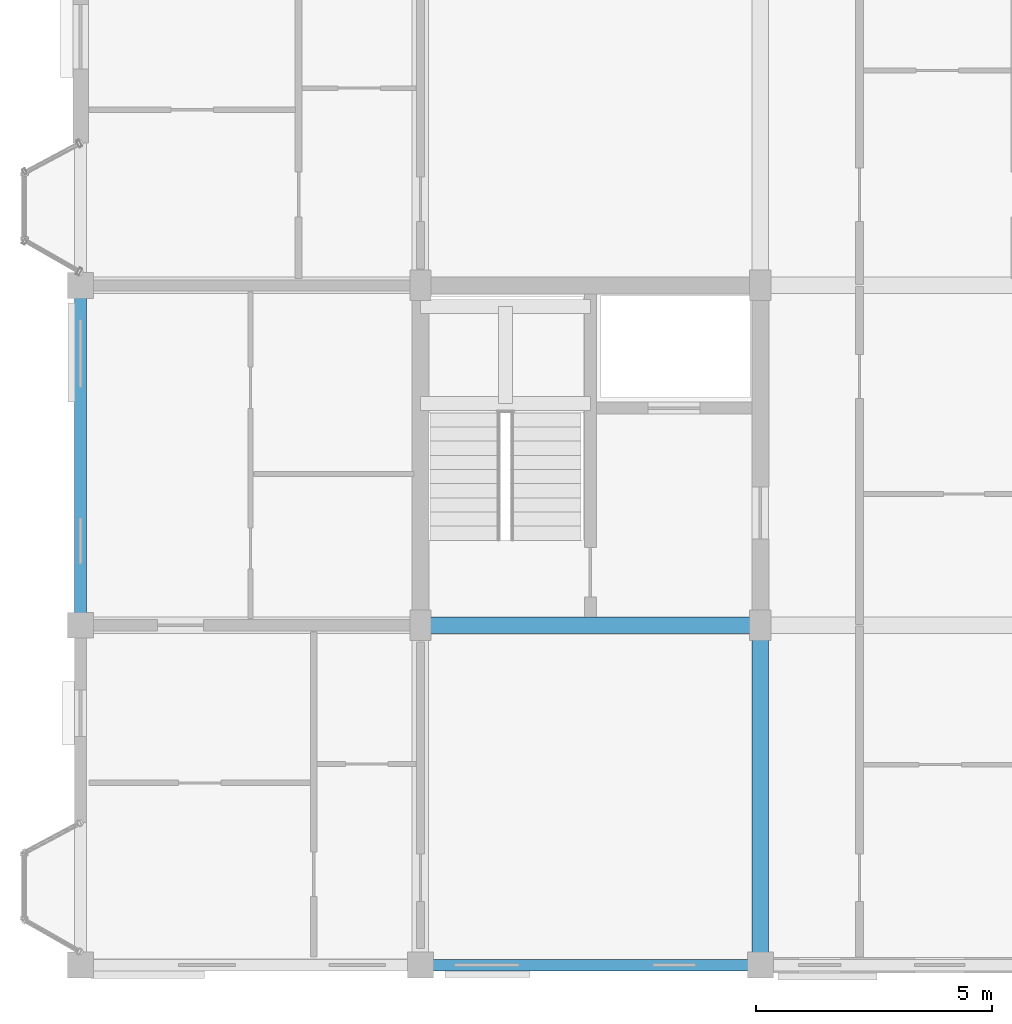
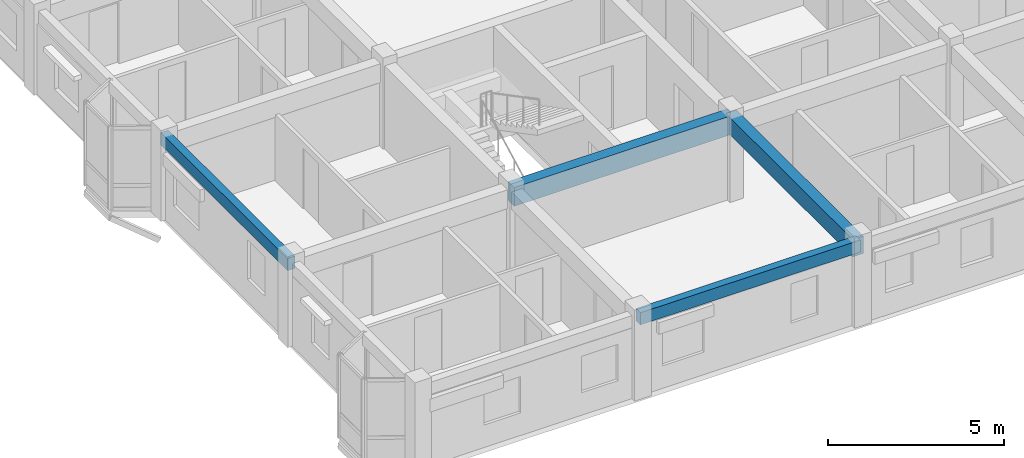
# One storey, part 3 of 77: 4 beams.
"""IFC4 building model written with IfcOpenShell, lengths in metres."""

from ifc_helpers import new_model, si_unit, direction, frame, origin, origin_2d, place, context, subcontext, project, spatial, rectangle, extrude, material, material_profile, profile_set, type_object, element, save


model = new_model("IFC4")

# Units and contexts
model_context = context("Model", 3, precision=1e-05, world=origin(), true_north=direction((0.0, 1.0)))
body_context = subcontext(model_context, "Body", "Model", "MODEL_VIEW")
ifc_project = project(units=[si_unit("LENGTHUNIT", "METRE"), si_unit("AREAUNIT", "SQUARE_METRE"), si_unit("VOLUMEUNIT", "CUBIC_METRE"), si_unit("PLANEANGLEUNIT", "RADIAN"), si_unit("MASSUNIT", "GRAM", prefix="KILO"), si_unit("THERMODYNAMICTEMPERATUREUNIT", "KELVIN"), si_unit("POWERUNIT", "WATT")], contexts=[model_context])

# Site, building, storey
site_placement = place(None, origin())
site = spatial("IfcSite", under=ifc_project, at=site_placement, CompositionType="ELEMENT")
building_placement = place(site_placement, origin())
building = spatial("IfcBuilding", under=site, at=building_placement, Name="Tavuni Mirador Residences", CompositionType="ELEMENT")
storey_placement = place(building_placement, frame((0.0, 0.0, 17.10009765625)))
storey = spatial("IfcBuildingStorey", under=building, at=storey_placement, Name="L05", CompositionType="ELEMENT", Elevation=17.10009765625)

# Beams
ifc_material = material(Name="Precast concrete C40/50", Category="concrete")
ifc_material_profile_1 = material_profile(ifc_material, rectangle(XDim=0.35009765625, YDim=0.60009765625, at=origin_2d()), Name="PC 350x600", Category="concrete")
ifc_profile_set_1 = profile_set([ifc_material_profile_1], Name="Precast concrete C40/50")
beam_type_1 = type_object("IfcBeamType", Name="BT-B600", PredefinedType="BEAM", material=ifc_profile_set_1)
beam_1_placement = place(storey_placement, frame((18.0, 7.199951171875, 2.56982421875), z_axis=(0.0, 1.0, 0.0), x_axis=(-1.0, 0.0, 0.0)))
element("IfcBeam", 1, at=beam_1_placement, inside=storey, type_object=beam_type_1, Name="BMY-BLK-A-L05-02-00", PredefinedType="BEAM", context=body_context, shape_type="SweptSolid", body=[
    extrude(rectangle(XDim=0.35009765625, YDim=0.60009765625, at=origin_2d()), origin(), (0.0, 0.0, 1.0), 7.199951171875),
])
ifc_material_profile_2 = material_profile(ifc_material, rectangle(XDim=0.35009765625, YDim=0.64990234375, at=origin_2d()), Name="PC 350x650", Category="concrete")
ifc_profile_set_2 = profile_set([ifc_material_profile_2], Name="Precast concrete C40/50")
beam_type_2 = type_object("IfcBeamType", Name="BT-B650", PredefinedType="BEAM", material=ifc_profile_set_2)
beam_2_placement = place(storey_placement, frame((10.800048828125, 14.39990234375, 2.544921875), z_axis=(1.0, 0.0, 0.0), x_axis=(0.0, 1.0, 0.0)))
element("IfcBeam", 2, at=beam_2_placement, inside=storey, type_object=beam_type_2, Name="BMX-BLK-A-L05-01-01", PredefinedType="BEAM", context=body_context, shape_type="SweptSolid", body=[
    extrude(rectangle(XDim=0.35009765625, YDim=0.64990234375, at=origin_2d()), origin(), (0.0, 0.0, 1.0), 7.199951171875),
])
ifc_material_profile_3 = material_profile(ifc_material, rectangle(XDim=0.25, YDim=0.419921875, at=origin_2d()), Name="PC 250x420", Category="concrete")
ifc_profile_set_3 = profile_set([ifc_material_profile_3], Name="Precast concrete C40/50")
beam_type_3 = type_object("IfcBeamType", Name="BT-SP420", PredefinedType="SPANDREL", material=ifc_profile_set_3)
beam_3_placement = place(storey_placement, frame((10.800048828125, 7.199951171875, 2.659912109375), z_axis=(1.0, 0.0, 0.0), x_axis=(0.0, 1.0, 0.0)))
element("IfcBeam", 3, at=beam_3_placement, inside=storey, type_object=beam_type_3, Name="BMX-BLK-A-L05-01-00", PredefinedType="SPANDREL", context=body_context, shape_type="SweptSolid", body=[
    extrude(rectangle(XDim=0.25, YDim=0.419921875, at=origin_2d()), origin(), (0.0, 0.0, 1.0), 7.199951171875),
])
beam_4_placement = place(storey_placement, frame((3.60009765625, 14.39990234375, 2.659912109375), z_axis=(0.0, 1.0, 0.0), x_axis=(-1.0, 0.0, 0.0)))
element("IfcBeam", 4, at=beam_4_placement, inside=storey, type_object=beam_type_3, Name="BMY-BLK-A-L05-00-01", PredefinedType="SPANDREL", context=body_context, shape_type="SweptSolid", body=[
    extrude(rectangle(XDim=0.25, YDim=0.419921875, at=origin_2d()), origin(), (0.0, 0.0, 1.0), 7.2001953125),
])

save(model, "model.ifc")
